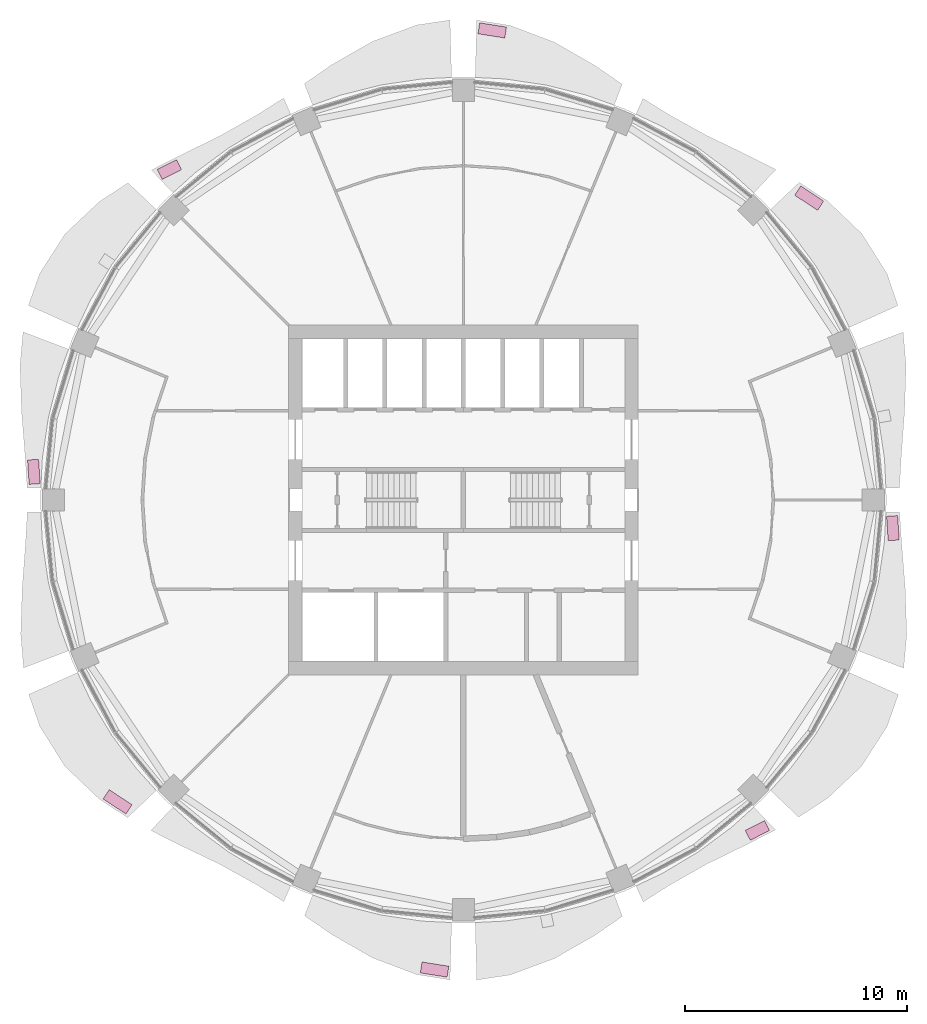
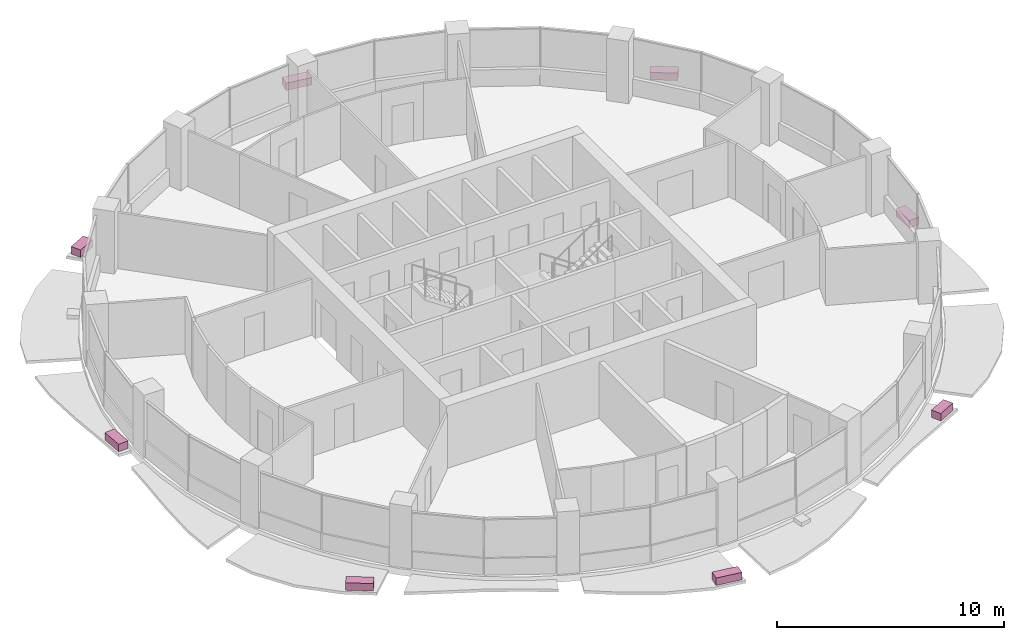
# One storey, part 15 of 15: 8 furniture elements.
"""IFC4 building model written with IfcOpenShell, lengths in metres."""

import ifcopenshell
import ifcopenshell.guid

model = None  # the IFC model being written
_history = None  # IfcOwnerHistory: only IFC2X3 demands one
_inside = {}  # id of a spatial element -> (the spatial element, [elements in it])
_under = {}  # id of a project, library or spatial element -> (it, [spatial elements below it])
_declared = {}  # id of a project -> (the project, [libraries it declares])
_typed = {}  # id of a type object -> (the type object, [elements of that type])
_made_of = {}  # id of a material, layer set ... -> (it, [elements and type objects made of it])


def new_model(schema):
    """Start an empty IFC model of exactly this schema.

    Asked for "IFC4X3", IfcOpenShell would pick the latest addendum, in which some entities
    have other attributes; the version numbers below select the first issue.
    IFC2X3 requires an IfcOwnerHistory on every rooted entity: one is made here for all.
    """
    global model, _history
    if schema == "IFC4X3":
        model = ifcopenshell.file(schema_version=(4, 3, 0, 0))
    else:
        model = ifcopenshell.file(schema=schema)
    _inside.clear()
    _under.clear()
    _declared.clear()
    _typed.clear()
    _made_of.clear()
    _history = None
    if model.schema == "IFC2X3":
        org = make("IfcOrganization", Name="unknown")
        user = make(
            "IfcPersonAndOrganization",
            ThePerson=make("IfcPerson", FamilyName="unknown"),
            TheOrganization=org,
        )
        app = make(
            "IfcApplication",
            ApplicationDeveloper=org,
            Version="unknown",
            ApplicationFullName="unknown",
            ApplicationIdentifier="unknown",
        )
        _history = make(
            "IfcOwnerHistory",
            OwningUser=user,
            OwningApplication=app,
            ChangeAction="ADDED",
            CreationDate=0,
        )
    return model


def make(cls, **values):
    """One entity of the class cls with the attributes given. An attribute that is None is left unset."""
    return model.create_entity(
        cls, **{name: value for name, value in values.items() if value is not None}
    )


def rooted(cls, **values):
    """An entity with a GlobalId (a new one), such as an element, a storey or a relation."""
    return make(cls, GlobalId=ifcopenshell.guid.new(), OwnerHistory=_history, **values)


def si_unit(unit_type, name, prefix=None):
    """IfcSIUnit, for example si_unit("LENGTHUNIT", "METRE", prefix="MILLI")."""
    return make("IfcSIUnit", UnitType=unit_type, Prefix=prefix, Name=name)


def assignment(units):
    """IfcUnitAssignment: the units of a project."""
    return None if units is None else make("IfcUnitAssignment", Units=units)


def point(xyz):
    """IfcCartesianPoint."""
    return None if xyz is None else make("IfcCartesianPoint", Coordinates=xyz)


def direction(xyz):
    """IfcDirection."""
    return None if xyz is None else make("IfcDirection", DirectionRatios=xyz)


def frame(location, z_axis=None, x_axis=None):
    """IfcAxis2Placement3D, a coordinate frame: its origin and axes. An axis left out is left unset."""
    return make(
        "IfcAxis2Placement3D",
        Location=point(location),
        Axis=direction(z_axis),
        RefDirection=direction(x_axis),
    )


def frame_2d(location, x_axis=None):
    """IfcAxis2Placement2D, a coordinate frame in the plane: its origin and x axis."""
    return make(
        "IfcAxis2Placement2D", Location=point(location), RefDirection=direction(x_axis)
    )


def origin():
    """The frame at (0, 0, 0) with its axes left unset."""
    return frame((0.0, 0.0, 0.0))


def origin_2d():
    """The frame at (0, 0) in the plane with its x axis left unset."""
    return frame_2d((0.0, 0.0))


def place(relative_to, where):
    """IfcLocalPlacement: puts the frame where relative to a parent placement (None: the world)."""
    return make(
        "IfcLocalPlacement", PlacementRelTo=relative_to, RelativePlacement=where
    )


def context(
    kind, dimensions, precision=None, world=None, true_north=None, identifier=None
):
    """IfcGeometricRepresentationContext, for example the 3D "Model" context."""
    return make(
        "IfcGeometricRepresentationContext",
        ContextIdentifier=identifier,
        ContextType=kind,
        CoordinateSpaceDimension=dimensions,
        Precision=precision,
        WorldCoordinateSystem=world,
        TrueNorth=true_north,
    )


def subcontext(parent, identifier, kind, view, scale=None):
    """IfcGeometricRepresentationSubContext, for example "Body" below "Model"."""
    return make(
        "IfcGeometricRepresentationSubContext",
        ContextIdentifier=identifier,
        ContextType=kind,
        ParentContext=parent,
        TargetScale=scale,
        TargetView=view,
    )


def project(units=None, contexts=None):
    """IfcProject with its units and contexts."""
    return rooted(
        "IfcProject",
        Name="project",
        RepresentationContexts=contexts,
        UnitsInContext=assignment(units),
    )


def spatial(cls, under=None, at=None, **own):
    """A site, building, storey or space (cls), placed at a placement, below another one or the project."""
    s = rooted(cls, ObjectPlacement=at, **own)
    if under is not None:
        _under.setdefault(under.id(), (under, []))[1].append(s)
    return s


def profile(cls, at=None, kind="AREA", **sizes):
    """A parametric profile (cls). Its sizes go by their IFC names, for example OverallWidth=200.0."""
    return make(cls, ProfileType=kind, Position=at, **sizes)


def rectangle(**sizes):
    """IfcRectangleProfileDef."""
    return profile("IfcRectangleProfileDef", **sizes)


def extrude(swept, where, along, depth):
    """IfcExtrudedAreaSolid: the profile swept, set in the frame where, extruded along a direction by depth."""
    return make(
        "IfcExtrudedAreaSolid",
        SweptArea=swept,
        Position=where,
        ExtrudedDirection=direction(along),
        Depth=depth,
    )


def shape(context_of_items, identifier, shape_type, items):
    """IfcShapeRepresentation: the items that make up one representation, for example the "Body"."""
    return make(
        "IfcShapeRepresentation",
        ContextOfItems=context_of_items,
        RepresentationIdentifier=identifier,
        RepresentationType=shape_type,
        Items=items,
    )


def material(Name=None, Category=None):
    """IfcMaterial."""
    return make("IfcMaterial", Name=Name, Category=Category)


def made_of(thing, what):
    """Note that an element or type object is made of a material, layer set ...; save() writes the relation."""
    if what is not None:
        _made_of.setdefault(what.id(), (what, []))[1].append(thing)
    return thing


def type_object(cls, material=None, **own):
    """A type object (cls), such as IfcWallType, which elements share."""
    return made_of(rooted(cls, **own), material)


def element(
    cls,
    number,
    at=None,
    inside=None,
    cuts=None,
    type_object=None,
    material=None,
    context=None,
    identifier="Body",
    shape_type=None,
    held_by="IfcProductDefinitionShape",
    body=None,
    shapes=None,
    **own,
):
    """One element of the class cls, such as IfcWall. Its Tag is "e" and its number.

    at: its placement. inside: the storey or other place that contains it. cuts: it is an
    opening in that element (IfcRelVoidsElement). A single representation is given by context,
    identifier, shape_type and body (its items); several are given by shapes. held_by: the class
    of the entity that holds the representations. save() writes the other relations.
    """
    e = rooted(cls, Tag="e%d" % number, ObjectPlacement=at, **own)
    if body is not None:
        shapes = [shape(context, identifier, shape_type, body)]
    if shapes is not None:
        e.Representation = make(held_by, Representations=shapes)
    if inside is not None:
        _inside.setdefault(inside.id(), (inside, []))[1].append(e)
    if cuts is not None:
        rooted(
            "IfcRelVoidsElement", RelatingBuildingElement=cuts, RelatedOpeningElement=e
        )
    if type_object is not None:
        _typed.setdefault(type_object.id(), (type_object, []))[1].append(e)
    return made_of(e, material)


def aggregate(whole, parts):
    """IfcRelAggregates: a whole, such as a stair, and the parts it consists of."""
    return rooted("IfcRelAggregates", RelatingObject=whole, RelatedObjects=parts)


def save(model, path):
    """Write the relations noted so far, then the file.

    IfcRelAggregates (storeys below a building ...), IfcRelContainedInSpatialStructure (elements
    in a storey), IfcRelDefinesByType, IfcRelAssociatesMaterial and IfcRelDeclares: one each for
    every whole, place, type object, material and project.
    """
    for whole, parts in _under.values():
        aggregate(whole, parts)
    for where, things in _inside.values():
        rooted(
            "IfcRelContainedInSpatialStructure",
            RelatedElements=things,
            RelatingStructure=where,
        )
    for kind, things in _typed.values():
        rooted("IfcRelDefinesByType", RelatedObjects=things, RelatingType=kind)
    for what, things in _made_of.values():
        rooted("IfcRelAssociatesMaterial", RelatedObjects=things, RelatingMaterial=what)
    for by, libraries in _declared.values():
        rooted("IfcRelDeclares", RelatingContext=by, RelatedDefinitions=libraries)
    model.write(path)


model = new_model("IFC4")

# Units and contexts
model_context = context("Model", 3, precision=1e-05, world=origin(), true_north=direction((0.0, 1.0)))
body_context = subcontext(model_context, "Body", "Model", "MODEL_VIEW")
ifc_project = project(units=[si_unit("LENGTHUNIT", "METRE"), si_unit("AREAUNIT", "SQUARE_METRE"), si_unit("VOLUMEUNIT", "CUBIC_METRE"), si_unit("PLANEANGLEUNIT", "RADIAN"), si_unit("MASSUNIT", "GRAM", prefix="KILO")], contexts=[model_context])

# Site, building, storey
site_placement = place(None, origin())
site = spatial("IfcSite", under=ifc_project, at=site_placement, CompositionType="ELEMENT")
building_placement = place(site_placement, origin())
building = spatial("IfcBuilding", under=site, at=building_placement, Name="Polderwave Tower", CompositionType="ELEMENT")
storey_placement = place(building_placement, frame((0.0, 0.0, 124.300048828125)))
storey = spatial("IfcBuildingStorey", under=building, at=storey_placement, Name="L32", CompositionType="ELEMENT", Elevation=124.300048828125)

# Furniture
ifc_material = material(Name="Terracotta", Category="masonry")
furniture_type = type_object("IfcFurnitureType", Name="Terracotta planting trough", AssemblyPlace="NOTDEFINED", PredefinedType="USERDEFINED", material=ifc_material)
furniture_1_placement = place(storey_placement, frame((15.577392578125, 13.595703125, -0.199951171875), z_axis=(0.0, 0.0, 1.0), x_axis=(-0.835939572254, 0.548821493328, 0.0)))
element("IfcFurniture", 1, at=furniture_1_placement, inside=storey, type_object=furniture_type, Name="Planting trough L32 2", ObjectType="PLANTER", PredefinedType="USERDEFINED", context=body_context, shape_type="SweptSolid", body=[
    extrude(rectangle(XDim=1.233154296875, YDim=0.5, at=origin_2d()), origin(), (0.0, 0.0, 1.0), 0.39990234375),
])
furniture_2_placement = place(storey_placement, frame((1.299072265625, 21.15185546875, -0.199951171875), z_axis=(0.0, 0.0, 1.0), x_axis=(-0.987773923579, 0.155893155391, 0.0)))
element("IfcFurniture", 2, at=furniture_2_placement, inside=storey, type_object=furniture_type, Name="Planting trough L32 4", ObjectType="PLANTER", PredefinedType="USERDEFINED", context=body_context, shape_type="SweptSolid", body=[
    extrude(rectangle(XDim=1.222412109375, YDim=0.5, at=origin_2d()), origin(), (0.0, 0.0, 1.0), 0.39990234375),
])
furniture_3_placement = place(storey_placement, frame((-13.24365234375, 14.885009765625, -0.199951171875), z_axis=(0.0, 0.0, 1.0), x_axis=(-0.891618209629, -0.452787994826, 0.0)))
element("IfcFurniture", 3, at=furniture_3_placement, inside=storey, type_object=furniture_type, Name="Planting trough L32 6", ObjectType="PLANTER", PredefinedType="USERDEFINED", context=body_context, shape_type="SweptSolid", body=[
    extrude(rectangle(XDim=0.97265625, YDim=0.5, at=origin_2d()), origin(), (0.0, 0.0, 1.0), 0.39990234375),
])
furniture_4_placement = place(storey_placement, frame((-19.34716796875, 1.268798828125, -0.199951171875), z_axis=(0.0, 0.0, 1.0), x_axis=(0.065467568011, -0.997854697608, 0.0)))
element("IfcFurniture", 4, at=furniture_4_placement, inside=storey, type_object=furniture_type, Name="Planting trough L32 8", ObjectType="PLANTER", PredefinedType="USERDEFINED", context=body_context, shape_type="SweptSolid", body=[
    extrude(rectangle(XDim=1.100341796875, YDim=0.5, at=origin_2d()), origin(), (0.0, 0.0, 1.0), 0.39990234375),
])
furniture_5_placement = place(storey_placement, frame((-15.577392578125, -13.595703125, -0.199951171875), z_axis=(0.0, 0.0, 1.0), x_axis=(0.835939572254, -0.548821493328, 0.0)))
element("IfcFurniture", 5, at=furniture_5_placement, inside=storey, type_object=furniture_type, Name="Planting trough L32 10", ObjectType="PLANTER", PredefinedType="USERDEFINED", context=body_context, shape_type="SweptSolid", body=[
    extrude(rectangle(XDim=1.233154296875, YDim=0.5, at=origin_2d()), origin(), (0.0, 0.0, 1.0), 0.39990234375),
])
furniture_6_placement = place(storey_placement, frame((-1.299072265625, -21.15185546875, -0.199951171875), z_axis=(0.0, 0.0, 1.0), x_axis=(0.987773923579, -0.155893155391, 0.0)))
element("IfcFurniture", 6, at=furniture_6_placement, inside=storey, type_object=furniture_type, Name="Planting trough L32 12", ObjectType="PLANTER", PredefinedType="USERDEFINED", context=body_context, shape_type="SweptSolid", body=[
    extrude(rectangle(XDim=1.222412109375, YDim=0.5, at=origin_2d()), origin(), (0.0, 0.0, 1.0), 0.39990234375),
])
furniture_7_placement = place(storey_placement, frame((13.24365234375, -14.885009765625, -0.199951171875), z_axis=(0.0, 0.0, 1.0), x_axis=(0.891618209629, 0.452787994826, 0.0)))
element("IfcFurniture", 7, at=furniture_7_placement, inside=storey, type_object=furniture_type, Name="Planting trough L32 14", ObjectType="PLANTER", PredefinedType="USERDEFINED", context=body_context, shape_type="SweptSolid", body=[
    extrude(rectangle(XDim=0.97265625, YDim=0.5, at=origin_2d()), origin(), (0.0, 0.0, 1.0), 0.39990234375),
])
furniture_8_placement = place(storey_placement, frame((19.34716796875, -1.268798828125, -0.199951171875), z_axis=(0.0, 0.0, 1.0), x_axis=(-0.065467568011, 0.997854697608, 0.0)))
element("IfcFurniture", 8, at=furniture_8_placement, inside=storey, type_object=furniture_type, Name="Planting trough L32 16", ObjectType="PLANTER", PredefinedType="USERDEFINED", context=body_context, shape_type="SweptSolid", body=[
    extrude(rectangle(XDim=1.100341796875, YDim=0.5, at=origin_2d()), origin(), (0.0, 0.0, 1.0), 0.39990234375),
])

save(model, "model.ifc")
